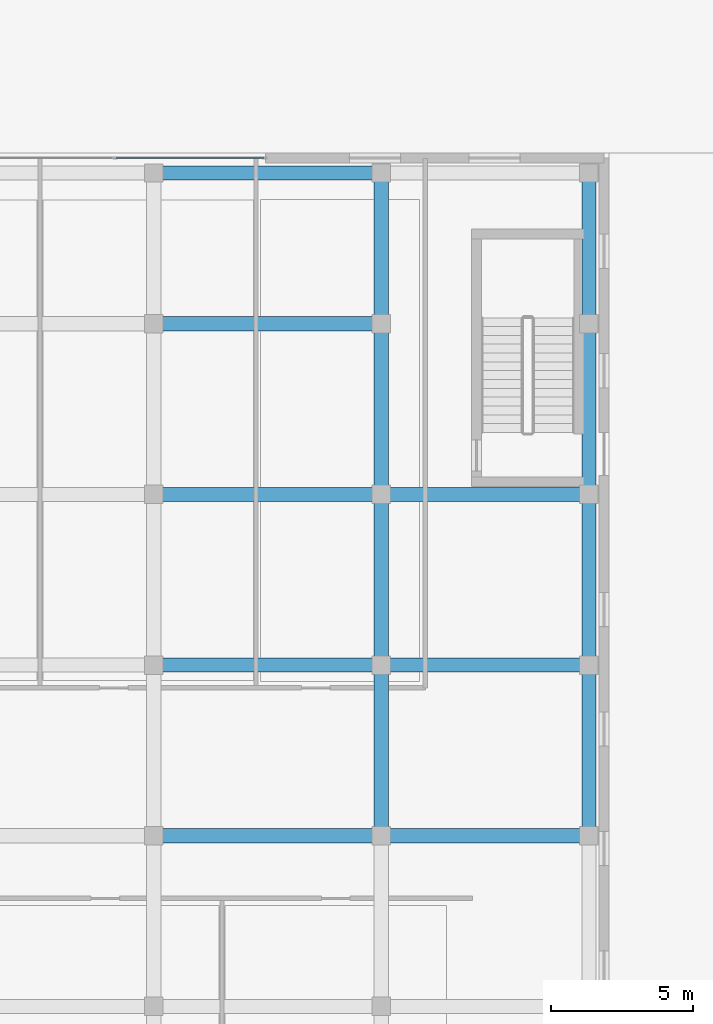
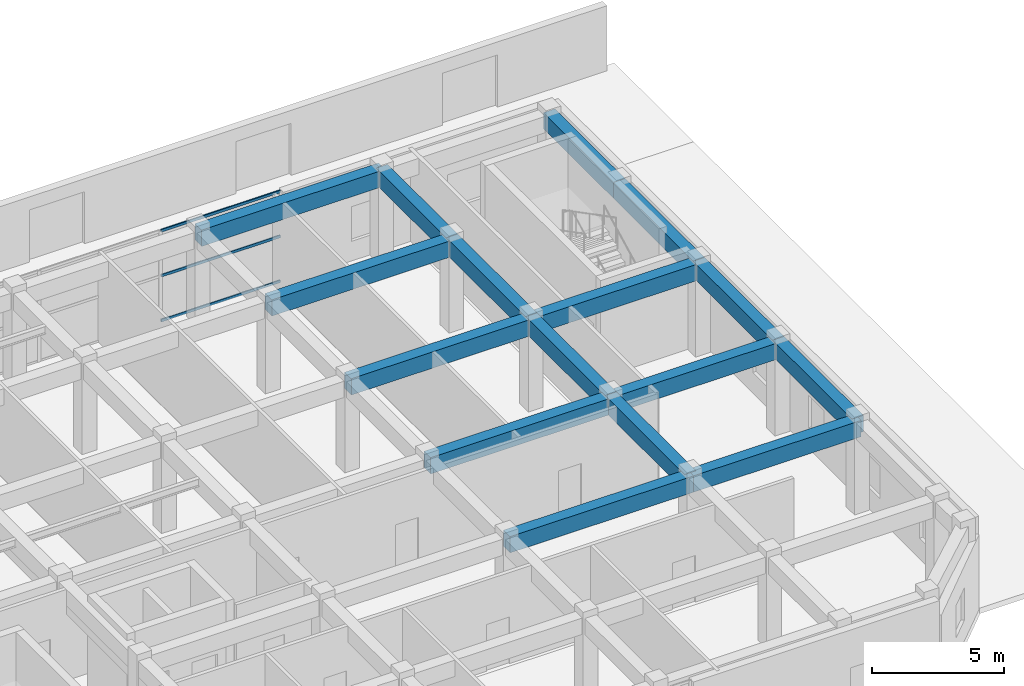
# One storey, part 17 of 39: 16 beams, 3 members, 1 element without a shape of its own.
"""IFC4 building model written with IfcOpenShell, lengths in metres."""

from ifc_helpers import new_model, si_unit, direction, frame, origin, origin_2d, place, context, subcontext, project, spatial, rectangle, hollow_rectangle, extrude, source, transform, mapped, material, layer, layer_set, material_profile, profile_set, type_object, element, aggregate, save


model = new_model("IFC4")

# Units and contexts
model_context = context("Model", 3, precision=1e-05, world=origin(), true_north=direction((0.0, 1.0)))
body_context = subcontext(model_context, "Body", "Model", "MODEL_VIEW")
ifc_project = project(units=[si_unit("LENGTHUNIT", "METRE"), si_unit("AREAUNIT", "SQUARE_METRE"), si_unit("VOLUMEUNIT", "CUBIC_METRE"), si_unit("PLANEANGLEUNIT", "RADIAN"), si_unit("MASSUNIT", "GRAM", prefix="KILO")], contexts=[model_context])

# Site, building, storey
site_placement = place(None, origin())
site = spatial("IfcSite", under=ifc_project, at=site_placement, CompositionType="ELEMENT")
building_placement = place(site_placement, origin())
building = spatial("IfcBuilding", under=site, at=building_placement, Name="Khoralis Quay Care Tower", CompositionType="ELEMENT")
storey_placement = place(building_placement, origin())
storey = spatial("IfcBuildingStorey", under=building, at=storey_placement, Name="L00", CompositionType="ELEMENT", Elevation=0.0)

# Beams
ifc_material_1 = material(Name="Concrete C40/50", Category="concrete")
ifc_material_profile_1 = material_profile(ifc_material_1, rectangle(XDim=0.5, YDim=0.75, at=origin_2d()), Name="Concrete C40/50")
ifc_profile_set_1 = profile_set([ifc_material_profile_1], Name="Concrete C40/50")
beam_type = type_object("IfcBeamType", Name="BM-RC500X750", PredefinedType="BEAM", material=ifc_profile_set_1)
shared_shape_1 = source(origin(), body_context, "Body", "SweptSolid", [
    extrude(rectangle(XDim=0.5, YDim=0.75, at=origin_2d()), origin(), (0.0, 0.0, 1.0), 7.300048828125),
])
for number, where, z_axis, x_axis, name in (
    (1, (100.0, 18.0, 3.824951171875), (1.0, 0.0, 0.0), (0.0, 1.0, 0.0), "BM-SCX-L00-13"),
    (2, (100.0, 24.0, 3.824951171875), (1.0, 0.0, 0.0), (0.0, 1.0, 0.0), "BM-SCX-L00-18"),
    (3, (100.0, 30.0, 3.824951171875), (1.0, 0.0, 0.0), (0.0, 1.0, 0.0), "BM-SCX-L00-23"),
):
    element("IfcBeam", number, at=place(storey_placement, frame(where, z_axis=z_axis, x_axis=x_axis)), inside=storey, type_object=beam_type, Name=name, PredefinedType="BEAM", context=body_context, shape_type="MappedRepresentation", body=[
        mapped(shared_shape_1, transform((0.0, 0.0, 0.0), scale=1.0)),
    ])
shared_shape_2 = source(origin(), body_context, "Body", "SweptSolid", [
    extrude(rectangle(XDim=0.5, YDim=0.75, at=origin_2d()), origin(), (0.0, 0.0, 1.0), 8.0),
])
for number, where, z_axis, x_axis, name in (
    (4, (92.0, 18.0, 3.824951171875), (1.0, 0.0, 0.0), (0.0, 1.0, 0.0), "BM-SCX-L00-12"),
    (5, (92.0, 24.0, 3.824951171875), (1.0, 0.0, 0.0), (0.0, 1.0, 0.0), "BM-SCX-L00-17"),
    (6, (92.0, 30.0, 3.824951171875), (1.0, 0.0, 0.0), (0.0, 1.0, 0.0), "BM-SCX-L00-22"),
    (7, (92.0, 36.0, 3.824951171875), (1.0, 0.0, 0.0), (0.0, 1.0, 0.0), "BM-SCX-L00-27"),
    (8, (92.0, 41.300048828125, 3.824951171875), (1.0, 0.0, 0.0), (0.0, 1.0, 0.0), "BM-SCX-L00-31"),
):
    element("IfcBeam", number, at=place(storey_placement, frame(where, z_axis=z_axis, x_axis=x_axis)), inside=storey, type_object=beam_type, Name=name, PredefinedType="BEAM", context=body_context, shape_type="MappedRepresentation", body=[
        mapped(shared_shape_2, transform((0.0, 0.0, 0.0), scale=1.0)),
    ])
shared_shape_3 = source(origin(), body_context, "Body", "SweptSolid", [
    extrude(rectangle(XDim=0.5, YDim=0.75, at=origin_2d()), origin(), (0.0, 0.0, 1.0), 5.300048828125),
])
for number, where, z_axis, x_axis, name in (
    (9, (100.0, 36.0, 3.824951171875), (0.0, 1.0, 0.0), (-1.0, 0.0, 0.0), "BM-SCY-L00-62"),
    (10, (107.300048828125, 36.0, 3.824951171875), (0.0, 1.0, 0.0), (-1.0, 0.0, 0.0), "BM-SCY-L00-67"),
):
    element("IfcBeam", number, at=place(storey_placement, frame(where, z_axis=z_axis, x_axis=x_axis)), inside=storey, type_object=beam_type, Name=name, PredefinedType="BEAM", context=body_context, shape_type="MappedRepresentation", body=[
        mapped(shared_shape_3, transform((0.0, 0.0, 0.0), scale=1.0)),
    ])
shared_shape_4 = source(origin(), body_context, "Body", "SweptSolid", [
    extrude(rectangle(XDim=0.5, YDim=0.75, at=origin_2d()), origin(), (0.0, 0.0, 1.0), 6.0),
])
for number, where, z_axis, x_axis, name in (
    (11, (100.0, 18.0, 3.824951171875), (0.0, 1.0, 0.0), (-1.0, 0.0, 0.0), "BM-SCY-L00-59"),
    (12, (100.0, 24.0, 3.824951171875), (0.0, 1.0, 0.0), (-1.0, 0.0, 0.0), "BM-SCY-L00-60"),
    (13, (100.0, 30.0, 3.824951171875), (0.0, 1.0, 0.0), (-1.0, 0.0, 0.0), "BM-SCY-L00-61"),
    (14, (107.300048828125, 18.0, 3.824951171875), (0.0, 1.0, 0.0), (-1.0, 0.0, 0.0), "BM-SCY-L00-64"),
    (15, (107.300048828125, 24.0, 3.824951171875), (0.0, 1.0, 0.0), (-1.0, 0.0, 0.0), "BM-SCY-L00-65"),
    (16, (107.300048828125, 30.0, 3.824951171875), (0.0, 1.0, 0.0), (-1.0, 0.0, 0.0), "BM-SCY-L00-66"),
):
    element("IfcBeam", number, at=place(storey_placement, frame(where, z_axis=z_axis, x_axis=x_axis)), inside=storey, type_object=beam_type, Name=name, PredefinedType="BEAM", context=body_context, shape_type="MappedRepresentation", body=[
        mapped(shared_shape_4, transform((0.0, 0.0, 0.0), scale=1.0)),
    ])

# Curtain wall, members
ifc_material_2 = material(Name="Pale anodised aluminium", Category="aluminium")
ifc_layer = layer(ifc_material_2, 0.14990234375)
ifc_layer_set = layer_set([ifc_layer], Name="Pale anodised aluminium")
curtain_wall_type = type_object("IfcCurtainWallType", Name="CW-SYS-SCHOOL", PredefinedType="NOTDEFINED", material=ifc_layer_set)
curtain_wall_placement = place(storey_placement, origin())
curtain_wall = element("IfcCurtainWall", 17, at=curtain_wall_placement, inside=storey, type_object=curtain_wall_type, Name="L00 Unitised Curtain Wall CW-SCH-L00-E3", PredefinedType="NOTDEFINED")
ifc_material_profile_2 = material_profile(ifc_material_2, hollow_rectangle(XDim=0.054931640625, YDim=0.1201171875, WallThickness=0.00390625, at=origin_2d()), Name="Pale anodised aluminium")
ifc_profile_set_2 = profile_set([ifc_material_profile_2], Name="Pale anodised aluminium")
member_type = type_object("IfcMemberType", Name="CW-TRN-120", PredefinedType="USERDEFINED", material=ifc_profile_set_2)
shared_shape_5 = source(origin(), body_context, "Body", "SweptSolid", [
    extrude(hollow_rectangle(XDim=0.054931640625, YDim=0.1201171875, WallThickness=0.00390625, at=origin_2d()), origin(), (0.0, 0.0, 1.0), 5.197998046875),
])
member_1_placement = place(storey_placement, frame((95.8720703125, 41.830078125, 0.030029296875), z_axis=(-1.0, 0.0, 0.0), x_axis=(0.0, -1.0, 0.0)))
member_1 = element("IfcMember", 18, at=member_1_placement, type_object=member_type, Name="CW6 transom 1.1", ObjectType="TRANSOM", PredefinedType="USERDEFINED", context=body_context, shape_type="MappedRepresentation", body=[
    mapped(shared_shape_5, transform((0.0, 0.0, 0.0), scale=1.0)),
])
member_2_placement = place(storey_placement, frame((95.8720703125, 41.830078125, 2.10009765625), z_axis=(-1.0, 0.0, 0.0), x_axis=(0.0, -1.0, 0.0)))
member_2 = element("IfcMember", 19, at=member_2_placement, type_object=member_type, Name="CW6 transom 1.2", ObjectType="TRANSOM", PredefinedType="USERDEFINED", context=body_context, shape_type="MappedRepresentation", body=[
    mapped(shared_shape_5, transform((0.0, 0.0, 0.0), scale=1.0)),
])
member_3_placement = place(storey_placement, frame((95.8720703125, 41.830078125, 4.169921875), z_axis=(-1.0, 0.0, 0.0), x_axis=(0.0, -1.0, 0.0)))
member_3 = element("IfcMember", 20, at=member_3_placement, type_object=member_type, Name="CW6 transom 1.3", ObjectType="TRANSOM", PredefinedType="USERDEFINED", context=body_context, shape_type="MappedRepresentation", body=[
    mapped(shared_shape_5, transform((0.0, 0.0, 0.0), scale=1.0)),
])
aggregate(curtain_wall, [member_1, member_2, member_3])

save(model, "model.ifc")
